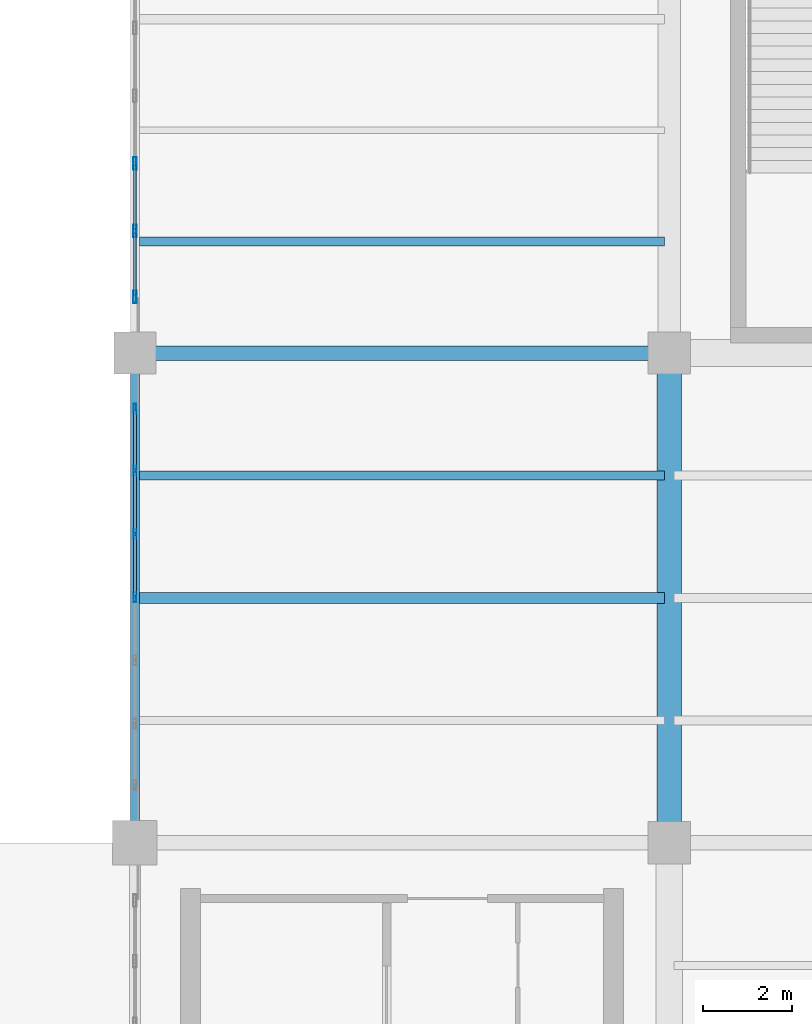
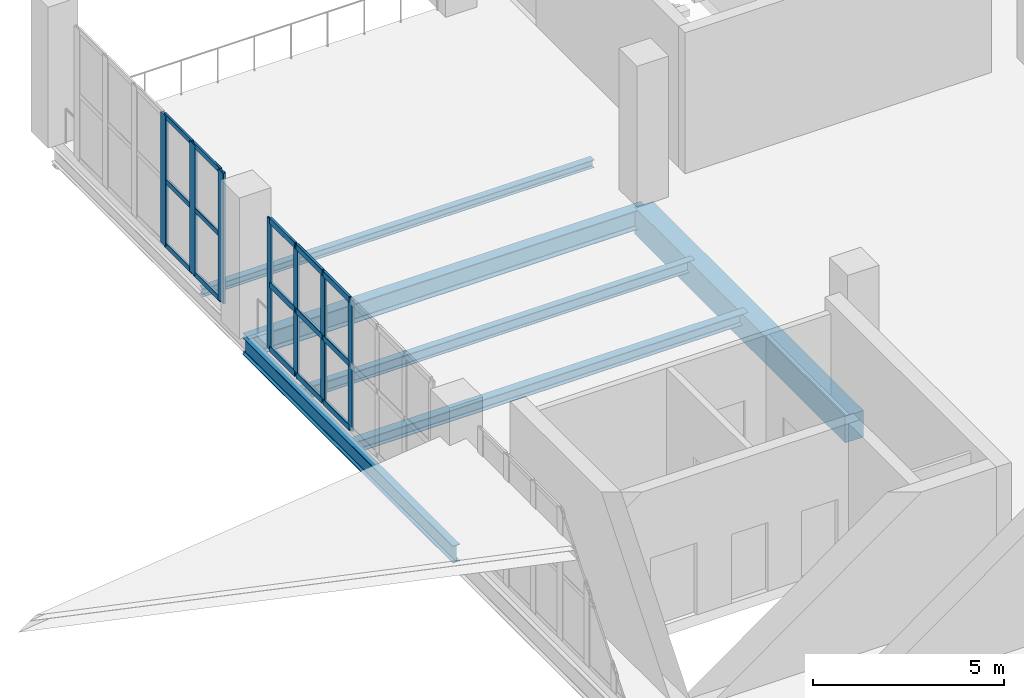
# One storey, part 25 of 90: 22 members, 6 beams, 2 elements without a shape of their own.
"""IFC4 building model written with IfcOpenShell, lengths in metres."""

from ifc_helpers import new_model, si_unit, direction, frame, origin, origin_2d, place, context, subcontext, project, spatial, rectangle, hollow_rectangle, i_section, extrude, material, layer, layer_set, material_profile, profile_set, type_object, element, aggregate, save


model = new_model("IFC4")

# Units and contexts
model_context = context("Model", 3, precision=1e-05, world=origin(), true_north=direction((0.0, 1.0)))
body_context = subcontext(model_context, "Body", "Model", "MODEL_VIEW")
ifc_project = project(units=[si_unit("LENGTHUNIT", "METRE"), si_unit("AREAUNIT", "SQUARE_METRE"), si_unit("VOLUMEUNIT", "CUBIC_METRE"), si_unit("PLANEANGLEUNIT", "RADIAN"), si_unit("MASSUNIT", "GRAM", prefix="KILO")], contexts=[model_context])

# Site, building, storey
site_placement = place(None, origin())
site = spatial("IfcSite", under=ifc_project, at=site_placement, CompositionType="ELEMENT")
building_placement = place(site_placement, origin())
building = spatial("IfcBuilding", under=site, at=building_placement, Name="Brinegate Civic Arena", CompositionType="ELEMENT")
storey_placement = place(building_placement, frame((0.0, 0.0, 14.699951171875)))
storey = spatial("IfcBuildingStorey", under=building, at=storey_placement, Name="L03", CompositionType="ELEMENT", Elevation=14.699951171875)

# Curtain wall, members
ifc_material_1 = material(Name="Marine grade aluminium", Category="aluminium")
ifc_layer = layer(ifc_material_1, 0.199951171875, Name="Marine grade aluminium")
ifc_layer_set = layer_set([ifc_layer], Name="Marine grade aluminium")
curtain_wall_type = type_object("IfcCurtainWallType", Name="CW-BOWL-GLAZED-01", PredefinedType="USERDEFINED", material=ifc_layer_set)
curtain_wall_1_placement = place(storey_placement, origin())
curtain_wall_1 = element("IfcCurtainWall", 1, at=curtain_wall_1_placement, inside=storey, type_object=curtain_wall_type, Name="Curtain Wall CWA-121", ObjectType="GLAZED CURTAIN WALL", PredefinedType="USERDEFINED")
ifc_material_profile_1 = material_profile(ifc_material_1, hollow_rectangle(XDim=0.06494140625, YDim=0.219970703125, WallThickness=0.006103515625, InnerFilletRadius=0.00390625, OuterFilletRadius=0.008056640625, at=origin_2d()), Name="MUL65X220")
ifc_profile_set_1 = profile_set([ifc_material_profile_1], Name="Marine grade aluminium")
member_type_1 = type_object("IfcMemberType", Name="CW-MULLION-65X220", PredefinedType="MULLION", material=ifc_profile_set_1)
member_1_placement = place(storey_placement, frame((48.0, 98.517578125, 0.0), z_axis=(0.0, 0.0, 1.0), x_axis=(-1.0, 0.0, 0.0)))
member_1 = element("IfcMember", 2, at=member_1_placement, type_object=member_type_1, Name="CWA-121 mullion 4", PredefinedType="MULLION", context=body_context, shape_type="SweptSolid", body=[
    extrude(hollow_rectangle(XDim=0.06494140625, YDim=0.219970703125, WallThickness=0.006103515625, InnerFilletRadius=0.00390625, OuterFilletRadius=0.008056640625, at=origin_2d()), origin(), (0.0, 0.0, 1.0), 4.16015625),
])
member_2_placement = place(storey_placement, frame((48.0, 99.937744140625, 0.0), z_axis=(0.0, 0.0, 1.0), x_axis=(-1.0, 0.0, 0.0)))
member_2 = element("IfcMember", 3, at=member_2_placement, type_object=member_type_1, Name="CWA-121 mullion 5", PredefinedType="MULLION", context=body_context, shape_type="SweptSolid", body=[
    extrude(hollow_rectangle(XDim=0.06494140625, YDim=0.219970703125, WallThickness=0.006103515625, InnerFilletRadius=0.00390625, OuterFilletRadius=0.008056640625, at=origin_2d()), origin(), (0.0, 0.0, 1.0), 4.16015625),
])
member_3_placement = place(storey_placement, frame((48.0, 101.35791015625, 0.0), z_axis=(0.0, 0.0, 1.0), x_axis=(-1.0, 0.0, 0.0)))
member_3 = element("IfcMember", 4, at=member_3_placement, type_object=member_type_1, Name="CWA-121 mullion 6", PredefinedType="MULLION", context=body_context, shape_type="SweptSolid", body=[
    extrude(hollow_rectangle(XDim=0.06494140625, YDim=0.219970703125, WallThickness=0.006103515625, InnerFilletRadius=0.00390625, OuterFilletRadius=0.008056640625, at=origin_2d()), origin(), (0.0, 0.0, 1.0), 4.16015625),
])
member_4_placement = place(storey_placement, frame((48.0, 102.74560546875, 0.0), z_axis=(0.0, 0.0, 1.0), x_axis=(-1.0, 0.0, 0.0)))
member_4 = element("IfcMember", 5, at=member_4_placement, type_object=member_type_1, Name="CWA-121 mullion 7", PredefinedType="MULLION", context=body_context, shape_type="SweptSolid", body=[
    extrude(hollow_rectangle(XDim=0.06494140625, YDim=0.219970703125, WallThickness=0.006103515625, InnerFilletRadius=0.00390625, OuterFilletRadius=0.008056640625, at=origin_2d()), origin(), (0.0, 0.0, 1.0), 4.16015625),
])

curtain_wall_2_placement = place(storey_placement, origin())
curtain_wall_2 = element("IfcCurtainWall", 6, at=curtain_wall_2_placement, inside=storey, type_object=curtain_wall_type, Name="Curtain Wall CWA-123", ObjectType="GLAZED CURTAIN WALL", PredefinedType="USERDEFINED")
ifc_material_profile_2 = material_profile(ifc_material_1, hollow_rectangle(XDim=0.080078125, YDim=0.280029296875, WallThickness=0.007080078125, InnerFilletRadius=0.0048828125, OuterFilletRadius=0.010009765625, at=origin_2d()), Name="MUL80X280")
ifc_profile_set_2 = profile_set([ifc_material_profile_2], Name="Marine grade aluminium")
member_type_2 = type_object("IfcMemberType", Name="CW-MULLION-80X280", PredefinedType="MULLION", material=ifc_profile_set_2)
member_5_placement = place(storey_placement, frame((48.0, 105.261962890625, 0.0), z_axis=(0.0, 0.0, 1.0), x_axis=(-1.0, 0.0, 0.0)))
member_5 = element("IfcMember", 7, at=member_5_placement, type_object=member_type_2, Name="CWA-123 mullion 1", PredefinedType="MULLION", context=body_context, shape_type="SweptSolid", body=[
    extrude(hollow_rectangle(XDim=0.080078125, YDim=0.280029296875, WallThickness=0.007080078125, InnerFilletRadius=0.0048828125, OuterFilletRadius=0.010009765625, at=origin_2d()), origin(), (0.0, 0.0, 1.0), 4.16015625),
])
member_6_placement = place(storey_placement, frame((48.0, 106.740478515625, 0.0), z_axis=(0.0, 0.0, 1.0), x_axis=(-1.0, 0.0, 0.0)))
member_6 = element("IfcMember", 8, at=member_6_placement, type_object=member_type_2, Name="CWA-123 mullion 2", PredefinedType="MULLION", context=body_context, shape_type="SweptSolid", body=[
    extrude(hollow_rectangle(XDim=0.080078125, YDim=0.280029296875, WallThickness=0.007080078125, InnerFilletRadius=0.0048828125, OuterFilletRadius=0.010009765625, at=origin_2d()), origin(), (0.0, 0.0, 1.0), 4.16015625),
])
member_7_placement = place(storey_placement, frame((48.0, 108.2587890625, 0.0), z_axis=(0.0, 0.0, 1.0), x_axis=(-1.0, 0.0, 0.0)))
member_7 = element("IfcMember", 9, at=member_7_placement, type_object=member_type_2, Name="CWA-123 mullion 3", PredefinedType="MULLION", context=body_context, shape_type="SweptSolid", body=[
    extrude(hollow_rectangle(XDim=0.080078125, YDim=0.280029296875, WallThickness=0.007080078125, InnerFilletRadius=0.0048828125, OuterFilletRadius=0.010009765625, at=origin_2d()), origin(), (0.0, 0.0, 1.0), 4.16015625),
])
ifc_material_profile_3 = material_profile(ifc_material_1, hollow_rectangle(XDim=0.06494140625, YDim=0.1650390625, WallThickness=0.0048828125, InnerFilletRadius=0.00390625, OuterFilletRadius=0.008056640625, at=origin_2d()), Name="TRN65X165")
ifc_profile_set_3 = profile_set([ifc_material_profile_3], Name="Marine grade aluminium")
member_type_3 = type_object("IfcMemberType", Name="CW-TRANSOM-65X165", PredefinedType="USERDEFINED", material=ifc_profile_set_3)
member_8_placement = place(storey_placement, frame((48.0, 105.302001953125, 0.032470703125), z_axis=(0.0, 1.0, 0.0), x_axis=(-1.0, 0.0, 0.0)))
member_8 = element("IfcMember", 10, at=member_8_placement, type_object=member_type_3, Name="CWA-123 transom 1.1", ObjectType="TRANSOM", PredefinedType="USERDEFINED", context=body_context, shape_type="SweptSolid", body=[
    extrude(hollow_rectangle(XDim=0.06494140625, YDim=0.1650390625, WallThickness=0.0048828125, InnerFilletRadius=0.00390625, OuterFilletRadius=0.008056640625, at=origin_2d()), origin(), (0.0, 0.0, 1.0), 1.3984375),
])
member_9_placement = place(storey_placement, frame((48.0, 105.302001953125, 2.080078125), z_axis=(0.0, 1.0, 0.0), x_axis=(-1.0, 0.0, 0.0)))
member_9 = element("IfcMember", 11, at=member_9_placement, type_object=member_type_3, Name="CWA-123 transom 1.2", ObjectType="TRANSOM", PredefinedType="USERDEFINED", context=body_context, shape_type="SweptSolid", body=[
    extrude(hollow_rectangle(XDim=0.06494140625, YDim=0.1650390625, WallThickness=0.0048828125, InnerFilletRadius=0.00390625, OuterFilletRadius=0.008056640625, at=origin_2d()), origin(), (0.0, 0.0, 1.0), 1.3984375),
])
member_10_placement = place(storey_placement, frame((48.0, 105.302001953125, 4.12744140625), z_axis=(0.0, 1.0, 0.0), x_axis=(-1.0, 0.0, 0.0)))
member_10 = element("IfcMember", 12, at=member_10_placement, type_object=member_type_3, Name="CWA-123 transom 1.3", ObjectType="TRANSOM", PredefinedType="USERDEFINED", context=body_context, shape_type="SweptSolid", body=[
    extrude(hollow_rectangle(XDim=0.06494140625, YDim=0.1650390625, WallThickness=0.0048828125, InnerFilletRadius=0.00390625, OuterFilletRadius=0.008056640625, at=origin_2d()), origin(), (0.0, 0.0, 1.0), 1.3984375),
])
member_11_placement = place(storey_placement, frame((48.0, 106.780517578125, 0.032470703125), z_axis=(0.0, 1.0, 0.0), x_axis=(-1.0, 0.0, 0.0)))
member_11 = element("IfcMember", 13, at=member_11_placement, type_object=member_type_3, Name="CWA-123 transom 2.1", ObjectType="TRANSOM", PredefinedType="USERDEFINED", context=body_context, shape_type="SweptSolid", body=[
    extrude(hollow_rectangle(XDim=0.06494140625, YDim=0.1650390625, WallThickness=0.0048828125, InnerFilletRadius=0.00390625, OuterFilletRadius=0.008056640625, at=origin_2d()), origin(), (0.0, 0.0, 1.0), 1.438232421875),
])
member_12_placement = place(storey_placement, frame((48.0, 106.780517578125, 2.080078125), z_axis=(0.0, 1.0, 0.0), x_axis=(-1.0, 0.0, 0.0)))
member_12 = element("IfcMember", 14, at=member_12_placement, type_object=member_type_3, Name="CWA-123 transom 2.2", ObjectType="TRANSOM", PredefinedType="USERDEFINED", context=body_context, shape_type="SweptSolid", body=[
    extrude(hollow_rectangle(XDim=0.06494140625, YDim=0.1650390625, WallThickness=0.0048828125, InnerFilletRadius=0.00390625, OuterFilletRadius=0.008056640625, at=origin_2d()), origin(), (0.0, 0.0, 1.0), 1.438232421875),
])
member_13_placement = place(storey_placement, frame((48.0, 106.780517578125, 4.12744140625), z_axis=(0.0, 1.0, 0.0), x_axis=(-1.0, 0.0, 0.0)))
member_13 = element("IfcMember", 15, at=member_13_placement, type_object=member_type_3, Name="CWA-123 transom 2.3", ObjectType="TRANSOM", PredefinedType="USERDEFINED", context=body_context, shape_type="SweptSolid", body=[
    extrude(hollow_rectangle(XDim=0.06494140625, YDim=0.1650390625, WallThickness=0.0048828125, InnerFilletRadius=0.00390625, OuterFilletRadius=0.008056640625, at=origin_2d()), origin(), (0.0, 0.0, 1.0), 1.438232421875),
])
aggregate(curtain_wall_2, [member_5, member_6, member_7, member_8, member_9, member_10, member_11, member_12, member_13])

# Member
ifc_material_profile_4 = material_profile(ifc_material_1, hollow_rectangle(XDim=0.074951171875, YDim=0.18994140625, WallThickness=0.006103515625, InnerFilletRadius=0.00390625, OuterFilletRadius=0.008056640625, at=origin_2d()), Name="TRN75X190")
ifc_profile_set_4 = profile_set([ifc_material_profile_4], Name="Marine grade aluminium")
member_type_4 = type_object("IfcMemberType", Name="CW-TRANSOM-75X190", PredefinedType="USERDEFINED", material=ifc_profile_set_4)
member_14_placement = place(storey_placement, frame((48.0, 98.550048828125, 0.03759765625), z_axis=(0.0, 1.0, 0.0), x_axis=(-1.0, 0.0, 0.0)))
member_14 = element("IfcMember", 16, at=member_14_placement, type_object=member_type_4, Name="CWA-121 transom 4.1", ObjectType="TRANSOM", PredefinedType="USERDEFINED", context=body_context, shape_type="SweptSolid", body=[
    extrude(hollow_rectangle(XDim=0.074951171875, YDim=0.18994140625, WallThickness=0.006103515625, InnerFilletRadius=0.00390625, OuterFilletRadius=0.008056640625, at=origin_2d()), origin(), (0.0, 0.0, 1.0), 1.355224609375),
])

member_15_placement = place(storey_placement, frame((48.0, 98.550048828125, 2.080078125), z_axis=(0.0, 1.0, 0.0), x_axis=(-1.0, 0.0, 0.0)))
member_15 = element("IfcMember", 17, at=member_15_placement, type_object=member_type_4, Name="CWA-121 transom 4.2", ObjectType="TRANSOM", PredefinedType="USERDEFINED", context=body_context, shape_type="SweptSolid", body=[
    extrude(hollow_rectangle(XDim=0.074951171875, YDim=0.18994140625, WallThickness=0.006103515625, InnerFilletRadius=0.00390625, OuterFilletRadius=0.008056640625, at=origin_2d()), origin(), (0.0, 0.0, 1.0), 1.355224609375),
])

member_16_placement = place(storey_placement, frame((48.0, 98.550048828125, 4.12255859375), z_axis=(0.0, 1.0, 0.0), x_axis=(-1.0, 0.0, 0.0)))
member_16 = element("IfcMember", 18, at=member_16_placement, type_object=member_type_4, Name="CWA-121 transom 4.3", ObjectType="TRANSOM", PredefinedType="USERDEFINED", context=body_context, shape_type="SweptSolid", body=[
    extrude(hollow_rectangle(XDim=0.074951171875, YDim=0.18994140625, WallThickness=0.006103515625, InnerFilletRadius=0.00390625, OuterFilletRadius=0.008056640625, at=origin_2d()), origin(), (0.0, 0.0, 1.0), 1.355224609375),
])

member_17_placement = place(storey_placement, frame((48.0, 99.97021484375, 0.03759765625), z_axis=(0.0, 1.0, 0.0), x_axis=(-1.0, 0.0, 0.0)))
member_17 = element("IfcMember", 19, at=member_17_placement, type_object=member_type_4, Name="CWA-121 transom 5.1", ObjectType="TRANSOM", PredefinedType="USERDEFINED", context=body_context, shape_type="SweptSolid", body=[
    extrude(hollow_rectangle(XDim=0.074951171875, YDim=0.18994140625, WallThickness=0.006103515625, InnerFilletRadius=0.00390625, OuterFilletRadius=0.008056640625, at=origin_2d()), origin(), (0.0, 0.0, 1.0), 1.355224609375),
])

member_18_placement = place(storey_placement, frame((48.0, 99.97021484375, 2.080078125), z_axis=(0.0, 1.0, 0.0), x_axis=(-1.0, 0.0, 0.0)))
member_18 = element("IfcMember", 20, at=member_18_placement, type_object=member_type_4, Name="CWA-121 transom 5.2", ObjectType="TRANSOM", PredefinedType="USERDEFINED", context=body_context, shape_type="SweptSolid", body=[
    extrude(hollow_rectangle(XDim=0.074951171875, YDim=0.18994140625, WallThickness=0.006103515625, InnerFilletRadius=0.00390625, OuterFilletRadius=0.008056640625, at=origin_2d()), origin(), (0.0, 0.0, 1.0), 1.355224609375),
])

member_19_placement = place(storey_placement, frame((48.0, 99.97021484375, 4.12255859375), z_axis=(0.0, 1.0, 0.0), x_axis=(-1.0, 0.0, 0.0)))
member_19 = element("IfcMember", 21, at=member_19_placement, type_object=member_type_4, Name="CWA-121 transom 5.3", ObjectType="TRANSOM", PredefinedType="USERDEFINED", context=body_context, shape_type="SweptSolid", body=[
    extrude(hollow_rectangle(XDim=0.074951171875, YDim=0.18994140625, WallThickness=0.006103515625, InnerFilletRadius=0.00390625, OuterFilletRadius=0.008056640625, at=origin_2d()), origin(), (0.0, 0.0, 1.0), 1.355224609375),
])

member_20_placement = place(storey_placement, frame((48.0, 101.390380859375, 0.03759765625), z_axis=(0.0, 1.0, 0.0), x_axis=(-1.0, 0.0, 0.0)))
member_20 = element("IfcMember", 22, at=member_20_placement, type_object=member_type_4, Name="CWA-121 transom 6.1", ObjectType="TRANSOM", PredefinedType="USERDEFINED", context=body_context, shape_type="SweptSolid", body=[
    extrude(hollow_rectangle(XDim=0.074951171875, YDim=0.18994140625, WallThickness=0.006103515625, InnerFilletRadius=0.00390625, OuterFilletRadius=0.008056640625, at=origin_2d()), origin(), (0.0, 0.0, 1.0), 1.322509765625),
])

member_21_placement = place(storey_placement, frame((48.0, 101.390380859375, 2.080078125), z_axis=(0.0, 1.0, 0.0), x_axis=(-1.0, 0.0, 0.0)))
member_21 = element("IfcMember", 23, at=member_21_placement, type_object=member_type_4, Name="CWA-121 transom 6.2", ObjectType="TRANSOM", PredefinedType="USERDEFINED", context=body_context, shape_type="SweptSolid", body=[
    extrude(hollow_rectangle(XDim=0.074951171875, YDim=0.18994140625, WallThickness=0.006103515625, InnerFilletRadius=0.00390625, OuterFilletRadius=0.008056640625, at=origin_2d()), origin(), (0.0, 0.0, 1.0), 1.322509765625),
])

member_22_placement = place(storey_placement, frame((48.0, 101.390380859375, 4.12255859375), z_axis=(0.0, 1.0, 0.0), x_axis=(-1.0, 0.0, 0.0)))
member_22 = element("IfcMember", 24, at=member_22_placement, type_object=member_type_4, Name="CWA-121 transom 6.3", ObjectType="TRANSOM", PredefinedType="USERDEFINED", context=body_context, shape_type="SweptSolid", body=[
    extrude(hollow_rectangle(XDim=0.074951171875, YDim=0.18994140625, WallThickness=0.006103515625, InnerFilletRadius=0.00390625, OuterFilletRadius=0.008056640625, at=origin_2d()), origin(), (0.0, 0.0, 1.0), 1.322509765625),
])

aggregate(curtain_wall_1, [member_1, member_2, member_3, member_4, member_14, member_15, member_16, member_17, member_18, member_19, member_20, member_21, member_22])

# Beams
ifc_material_2 = material(Name="Steel S355", Category="steel")
ifc_material_profile_5 = material_profile(ifc_material_2, i_section(OverallWidth=0.324951171875, OverallDepth=0.615966796875, WebThickness=0.013916015625, FlangeThickness=0.02197265625, FilletRadius=0.01611328125, at=origin_2d()), Name="W610X174")
ifc_profile_set_5 = profile_set([ifc_material_profile_5], Name="Steel S355")
beam_type_1 = type_object("IfcBeamType", Name="GIRDER-W610X174", PredefinedType="BEAM", material=ifc_profile_set_5)
beam_1_placement = place(storey_placement, frame((48.0, 104.0, -0.657958984375), z_axis=(1.0, 0.0, 0.0), x_axis=(0.0, 1.0, 0.0)))
element("IfcBeam", 25, at=beam_1_placement, inside=storey, type_object=beam_type_1, Name="Floor Girder BM-L03-GX-04-10", PredefinedType="BEAM", context=body_context, shape_type="SweptSolid", body=[
    extrude(i_section(OverallWidth=0.324951171875, OverallDepth=0.615966796875, WebThickness=0.013916015625, FlangeThickness=0.02197265625, FilletRadius=0.01611328125, at=origin_2d()), origin(), (0.0, 0.0, 1.0), 12.0),
])
ifc_material_profile_6 = material_profile(ifc_material_2, i_section(OverallWidth=0.202880859375, OverallDepth=0.251953125, WebThickness=0.008056640625, FlangeThickness=0.013916015625, FilletRadius=0.011962890625, at=origin_2d()), Name="W250X58")
ifc_profile_set_6 = profile_set([ifc_material_profile_6], Name="Steel S355")
beam_type_2 = type_object("IfcBeamType", Name="JOIST-W250X58", PredefinedType="JOIST", material=ifc_profile_set_6)
beam_2_placement = place(storey_placement, frame((48.10595703125, 106.5, -0.475830078125), z_axis=(1.0, 0.0, 0.0), x_axis=(0.0, 1.0, 0.0)))
element("IfcBeam", 26, at=beam_2_placement, inside=storey, type_object=beam_type_2, Name="Secondary Joist BM-L03-JX-04-10-1", PredefinedType="JOIST", context=body_context, shape_type="SweptSolid", body=[
    extrude(i_section(OverallWidth=0.202880859375, OverallDepth=0.251953125, WebThickness=0.008056640625, FlangeThickness=0.013916015625, FilletRadius=0.011962890625, at=origin_2d()), origin(), (0.0, 0.0, 1.0), 11.7880859375),
])
ifc_material_profile_7 = material_profile(ifc_material_2, i_section(OverallWidth=0.205078125, OverallDepth=0.35400390625, WebThickness=0.009033203125, FlangeThickness=0.01708984375, FilletRadius=0.013916015625, at=origin_2d()), Name="W360X79")
ifc_profile_set_7 = profile_set([ifc_material_profile_7], Name="Steel S355")
beam_type_3 = type_object("IfcBeamType", Name="JOIST-W360X79", PredefinedType="JOIST", material=ifc_profile_set_7)
beam_3_placement = place(storey_placement, frame((48.10595703125, 101.25, -0.52685546875), z_axis=(1.0, 0.0, 0.0), x_axis=(0.0, 1.0, 0.0)))
element("IfcBeam", 27, at=beam_3_placement, inside=storey, type_object=beam_type_3, Name="Secondary Joist BM-L03-JX-04-09-3", PredefinedType="JOIST", context=body_context, shape_type="SweptSolid", body=[
    extrude(i_section(OverallWidth=0.205078125, OverallDepth=0.35400390625, WebThickness=0.009033203125, FlangeThickness=0.01708984375, FilletRadius=0.013916015625, at=origin_2d()), origin(), (0.0, 0.0, 1.0), 11.7880859375),
])
ifc_material_profile_8 = material_profile(ifc_material_2, i_section(OverallWidth=0.25390625, OverallDepth=0.35302734375, WebThickness=0.010009765625, FlangeThickness=0.01611328125, FilletRadius=0.013916015625, at=origin_2d()), Name="W360X91")
ifc_profile_set_8 = profile_set([ifc_material_profile_8], Name="Steel S355")
beam_type_4 = type_object("IfcBeamType", Name="JOIST-W360X91", PredefinedType="JOIST", material=ifc_profile_set_8)
beam_4_placement = place(storey_placement, frame((48.10595703125, 98.5, -0.52587890625), z_axis=(1.0, 0.0, 0.0), x_axis=(0.0, 1.0, 0.0)))
element("IfcBeam", 28, at=beam_4_placement, inside=storey, type_object=beam_type_4, Name="Secondary Joist BM-L03-JX-04-09-2", PredefinedType="JOIST", context=body_context, shape_type="SweptSolid", body=[
    extrude(i_section(OverallWidth=0.25390625, OverallDepth=0.35302734375, WebThickness=0.010009765625, FlangeThickness=0.01611328125, FilletRadius=0.013916015625, at=origin_2d()), origin(), (0.0, 0.0, 1.0), 11.7880859375),
])
ifc_material_3 = material(Name="Concrete C50/60", Category="concrete")
ifc_material_profile_9 = material_profile(ifc_material_3, rectangle(XDim=0.550048828125, YDim=0.85009765625, at=origin_2d()), Name="RCB550X850")
ifc_profile_set_9 = profile_set([ifc_material_profile_9], Name="Concrete C50/60")
beam_type_5 = type_object("IfcBeamType", Name="RCG-550X850", PredefinedType="BEAM", material=ifc_profile_set_9)
beam_5_placement = place(storey_placement, frame((60.0, 93.0, -0.77490234375), z_axis=(0.0, 1.0, 0.0), x_axis=(-1.0, 0.0, 0.0)))
element("IfcBeam", 29, at=beam_5_placement, inside=storey, type_object=beam_type_5, Name="Floor Girder BM-L03-GY-05-09", PredefinedType="BEAM", context=body_context, shape_type="SweptSolid", body=[
    extrude(rectangle(XDim=0.550048828125, YDim=0.85009765625, at=origin_2d()), origin(), (0.0, 0.0, 1.0), 11.0),
])
ifc_material_profile_10 = material_profile(ifc_material_2, i_section(OverallWidth=0.2119140625, OverallDepth=0.5439453125, WebThickness=0.012939453125, FlangeThickness=0.02099609375, FilletRadius=0.01611328125, at=origin_2d()), Name="W530X123")
ifc_profile_set_10 = profile_set([ifc_material_profile_10], Name="Steel S355")
beam_type_6 = type_object("IfcBeamType", Name="SPANDREL-W530X123", PredefinedType="SPANDREL", material=ifc_profile_set_10)
beam_6_placement = place(storey_placement, frame((48.0, 93.0, -0.6220703125), z_axis=(0.0, 1.0, 0.0), x_axis=(-1.0, 0.0, 0.0)))
element("IfcBeam", 30, at=beam_6_placement, inside=storey, type_object=beam_type_6, Name="Floor Girder BM-L03-GY-04-09", PredefinedType="SPANDREL", context=body_context, shape_type="SweptSolid", body=[
    extrude(i_section(OverallWidth=0.2119140625, OverallDepth=0.5439453125, WebThickness=0.012939453125, FlangeThickness=0.02099609375, FilletRadius=0.01611328125, at=origin_2d()), origin(), (0.0, 0.0, 1.0), 11.0),
])

save(model, "model.ifc")
